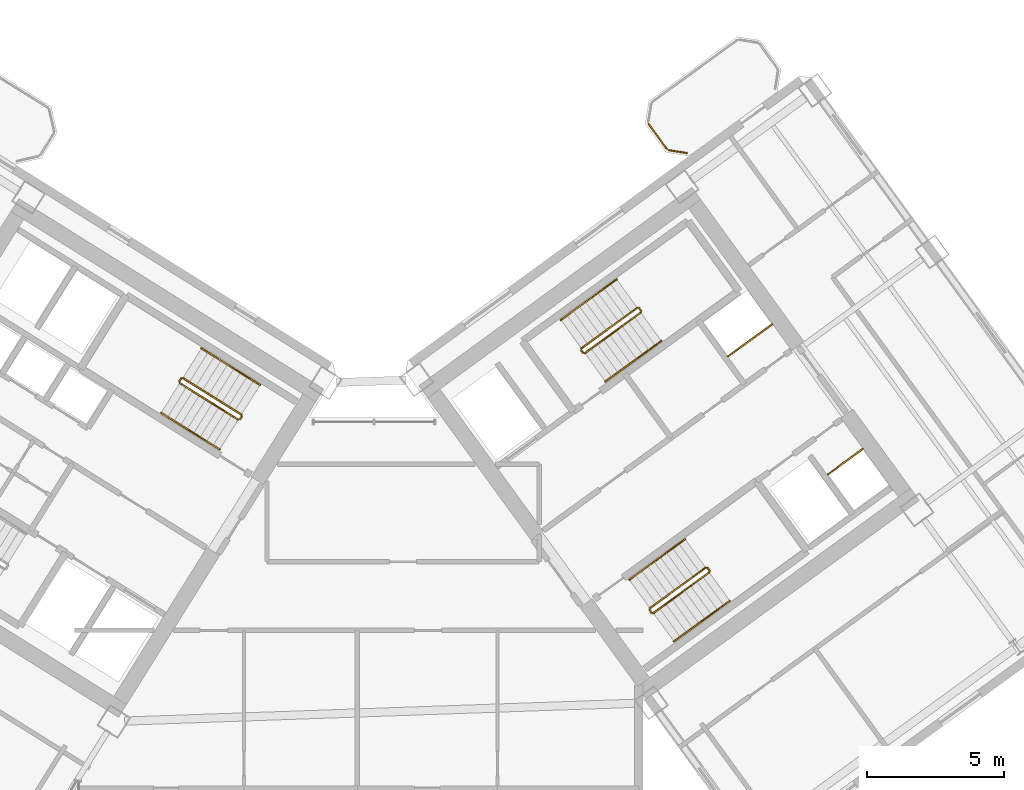
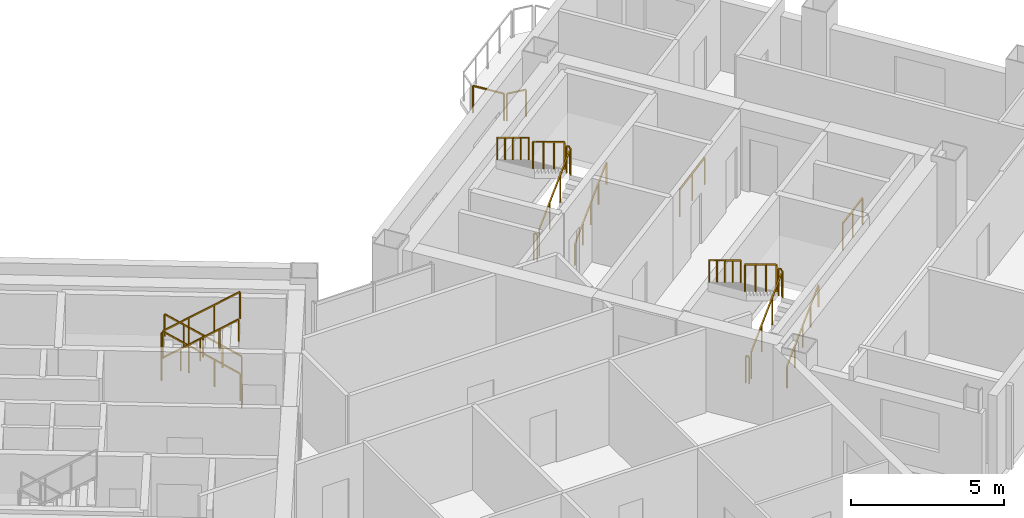
# One storey, part 24 of 25: 28 railings.
"""IFC4 building model written with IfcOpenShell, lengths in metres."""

from ifc_helpers import new_model, si_unit, direction, frame, origin, origin_2d, place, context, subcontext, project, spatial, rectangle, extrude, source, transform, mapped, material, type_object, element, save


model = new_model("IFC4")

# Units and contexts
model_context = context("Model", 3, precision=1e-05, world=origin(), true_north=direction((0.0, 1.0)))
body_context = subcontext(model_context, "Body", "Model", "MODEL_VIEW")
ifc_project = project(units=[si_unit("LENGTHUNIT", "METRE"), si_unit("AREAUNIT", "SQUARE_METRE"), si_unit("VOLUMEUNIT", "CUBIC_METRE"), si_unit("PLANEANGLEUNIT", "RADIAN"), si_unit("MASSUNIT", "GRAM", prefix="KILO")], contexts=[model_context])

# Site, building, storey
site_placement = place(None, origin())
site = spatial("IfcSite", under=ifc_project, at=site_placement, CompositionType="ELEMENT")
building_placement = place(site_placement, origin())
building = spatial("IfcBuilding", under=site, at=building_placement, Name="Tlacorven Tower", CompositionType="ELEMENT")
storey_placement = place(building_placement, frame((0.0, 0.0, 155.10009765625)))
storey = spatial("IfcBuildingStorey", under=building, at=storey_placement, Name="L39", CompositionType="ELEMENT", Elevation=155.10009765625)

# Railings
ifc_material = material(Name="Aluminium and painted steel balustrade", Category="steel")
railing_type_1 = type_object("IfcRailingType", Name="RL-GRD-1100", PredefinedType="GUARDRAIL", material=ifc_material)
shared_shape_1 = source(origin(), body_context, "Body", "SweptSolid", [
    extrude(rectangle(XDim=0.048095703125, YDim=0.048095703125, at=origin_2d()), frame((0.0, 0.0, 1.076171875), z_axis=(0.808947177504, 0.587881334972, 0.0), x_axis=(-0.587881334972, 0.808947177504, 0.0)), (0.0, 0.0, 1.0), 2.0),
    extrude(rectangle(XDim=0.0419921875, YDim=0.0419921875, at=origin_2d()), origin(), (0.0, 0.0, 1.0), 1.052001953125),
    extrude(rectangle(XDim=0.0419921875, YDim=0.0419921875, at=origin_2d()), frame((0.80908203125, 0.587890625, 0.0)), (0.0, 0.0, 1.0), 1.052001953125),
    extrude(rectangle(XDim=0.0419921875, YDim=0.0419921875, at=origin_2d()), frame((1.617919921875, 1.17578125, 0.0)), (0.0, 0.0, 1.0), 1.052001953125),
])
railing_1_placement = place(storey_placement, frame((55.506103515625, 25.438232421875, 0.0)))
element("IfcRailing", 1, at=railing_1_placement, inside=storey, type_object=railing_type_1, Name="L39 Electrical Riser E Shaft Guard 1", PredefinedType="GUARDRAIL", context=body_context, shape_type="MappedRepresentation", body=[
    mapped(shared_shape_1, transform((0.0, 0.0, 0.0), scale=1.0)),
])
shared_shape_2 = source(origin(), body_context, "Body", "SweptSolid", [
    extrude(rectangle(XDim=0.048095703125, YDim=0.048095703125, at=origin_2d()), frame((0.0, 0.0, 1.076171875), z_axis=(0.809029975545, 0.58776738483, 0.0), x_axis=(-0.58776738483, 0.809029975545, 0.0)), (0.0, 0.0, 1.0), 1.580078125),
    extrude(rectangle(XDim=0.0419921875, YDim=0.0419921875, at=origin_2d()), origin(), (0.0, 0.0, 1.0), 1.052001953125),
    extrude(rectangle(XDim=0.0419921875, YDim=0.0419921875, at=origin_2d()), frame((0.63916015625, 0.46435546875, 0.0)), (0.0, 0.0, 1.0), 1.052001953125),
    extrude(rectangle(XDim=0.0419921875, YDim=0.0419921875, at=origin_2d()), frame((1.2783203125, 0.9287109375, 0.0)), (0.0, 0.0, 1.0), 1.052001953125),
])
railing_2_placement = place(storey_placement, frame((59.160888671875, 21.122314453125, 0.0)))
element("IfcRailing", 2, at=railing_2_placement, inside=storey, type_object=railing_type_1, Name="L39 Smoke Riser E Shaft Guard 1", PredefinedType="GUARDRAIL", context=body_context, shape_type="MappedRepresentation", body=[
    mapped(shared_shape_2, transform((0.0, 0.0, 0.0), scale=1.0)),
])
railing_type_2 = type_object("IfcRailingType", Name="RL-BAL-1100", PredefinedType="BALUSTRADE", material=ifc_material)
shared_shape_3 = source(origin(), body_context, "Body", "SweptSolid", [
    extrude(rectangle(XDim=0.048095703125, YDim=0.048095703125, at=origin_2d()), frame((0.0, 0.0, 1.076171875), z_axis=(-0.987718317463, 0.156245081039, 0.0), x_axis=(-0.156245081039, -0.987718317463, 0.0)), (0.0, 0.0, 1.0), 0.66552734375),
    extrude(rectangle(XDim=0.0419921875, YDim=0.0419921875, at=origin_2d()), origin(), (0.0, 0.0, 1.0), 1.052001953125),
    extrude(rectangle(XDim=0.0419921875, YDim=0.0419921875, at=origin_2d()), frame((-0.657470703125, 0.10400390625, 0.0)), (0.0, 0.0, 1.0), 1.052001953125),
])
railing_3_placement = place(storey_placement, frame((54.00341796875, 32.8759765625, 0.0)))
element("IfcRailing", 3, at=railing_3_placement, inside=storey, type_object=railing_type_2, Name="BAL-L39-E-IN Guard Railing 1", PredefinedType="BALUSTRADE", context=body_context, shape_type="MappedRepresentation", body=[
    mapped(shared_shape_3, transform((0.0, 0.0, 0.0), scale=1.0)),
])
shared_shape_4 = source(origin(), body_context, "Body", "SweptSolid", [
    extrude(rectangle(XDim=0.048095703125, YDim=0.048095703125, at=origin_2d()), frame((0.0, 0.0, 1.076171875), z_axis=(-0.587740817519, 0.809049276263, 0.0), x_axis=(-0.809049276263, -0.587740817519, 0.0)), (0.0, 0.0, 1.0), 1.112060546875),
    extrude(rectangle(XDim=0.0419921875, YDim=0.0419921875, at=origin_2d()), origin(), (0.0, 0.0, 1.0), 1.052001953125),
    extrude(rectangle(XDim=0.0419921875, YDim=0.0419921875, at=origin_2d()), frame((-0.653564453125, 0.899658203125, 0.0)), (0.0, 0.0, 1.0), 1.052001953125),
])
railing_4_placement = place(storey_placement, frame((53.26708984375, 33.0283203125, 0.0)))
element("IfcRailing", 4, at=railing_4_placement, inside=storey, type_object=railing_type_2, Name="BAL-L39-E-IN Guard Railing 2", PredefinedType="BALUSTRADE", context=body_context, shape_type="MappedRepresentation", body=[
    mapped(shared_shape_4, transform((0.0, 0.0, 0.0), scale=1.0)),
])
shared_shape_5 = source(origin(), body_context, "Body", "SweptSolid", [
    extrude(rectangle(XDim=0.048095703125, YDim=0.048095703125, at=origin_2d()), frame((0.0, 0.0, 1.076171875), z_axis=(-0.530546985787, -0.847655529016, 0.0), x_axis=(0.847655529016, -0.530546985787, 0.0)), (0.0, 0.0, 1.0), 0.1201171875),
    extrude(rectangle(XDim=0.0419921875, YDim=0.0419921875, at=origin_2d()), origin(), (0.0, 0.0, 1.0), 1.052001953125),
    extrude(rectangle(XDim=0.0419921875, YDim=0.0419921875, at=origin_2d()), frame((-0.063720703125, -0.101806640625, 0.0)), (0.0, 0.0, 1.0), 1.052001953125),
])
railing_5_placement = place(storey_placement, frame((37.728271484375, 23.24072265625, 0.0)))
element("IfcRailing", 5, at=railing_5_placement, inside=storey, type_object=railing_type_1, Name="L39 ST-W2 stair guard 4", PredefinedType="GUARDRAIL", context=body_context, shape_type="MappedRepresentation", body=[
    mapped(shared_shape_5, transform((0.0, 0.0, 0.0), scale=1.0)),
])
railing_type_3 = type_object("IfcRailingType", Name="RL-HND-0900", PredefinedType="HANDRAIL", material=ifc_material)
shared_shape_6 = source(origin(), body_context, "Body", "SweptSolid", [
    extrude(rectangle(XDim=0.048095703125, YDim=0.048095703125, at=origin_2d()), frame((0.0, 0.0, 0.8759765625), z_axis=(-0.713359751793, 0.4457479829, 0.540764828981), x_axis=(-0.529911857636, -0.848052724267, 0.0)), (0.0, 0.0, 1.0), 1.498046875),
    extrude(rectangle(XDim=0.0419921875, YDim=0.0419921875, at=origin_2d()), origin(), (0.0, 0.0, 1.0), 0.851806640625),
    extrude(rectangle(XDim=0.0419921875, YDim=0.0419921875, at=origin_2d()), frame((-0.5341796875, 0.333984375, 0.405029296875)), (0.0, 0.0, 1.0), 0.851806640625),
    extrude(rectangle(XDim=0.0419921875, YDim=0.0419921875, at=origin_2d()), frame((-1.068603515625, 0.667724609375, 0.81005859375)), (0.0, 0.0, 1.0), 0.851806640625),
])
railing_6_placement = place(storey_placement, frame((38.390625, 24.39501953125, 0.179931640625)))
element("IfcRailing", 6, at=railing_6_placement, inside=storey, type_object=railing_type_3, Name="L39 ST-W2 stair handrail 1", PredefinedType="HANDRAIL", context=body_context, shape_type="MappedRepresentation", body=[
    mapped(shared_shape_6, transform((0.0, 0.0, 0.0), scale=1.0)),
])
shared_shape_7 = source(origin(), body_context, "Body", "SweptSolid", [
    extrude(rectangle(XDim=0.048095703125, YDim=0.048095703125, at=origin_2d()), frame((0.0, 0.0, 0.8759765625), z_axis=(0.713359751793, -0.4457479829, 0.540764828981), x_axis=(0.529911857636, 0.848052724267, 0.0)), (0.0, 0.0, 1.0), 1.498046875),
    extrude(rectangle(XDim=0.0419921875, YDim=0.0419921875, at=origin_2d()), origin(), (0.0, 0.0, 1.0), 0.851806640625),
    extrude(rectangle(XDim=0.0419921875, YDim=0.0419921875, at=origin_2d()), frame((0.5341796875, -0.333984375, 0.405029296875)), (0.0, 0.0, 1.0), 0.851806640625),
    extrude(rectangle(XDim=0.0419921875, YDim=0.0419921875, at=origin_2d()), frame((1.068603515625, -0.667724609375, 0.81005859375)), (0.0, 0.0, 1.0), 0.851806640625),
])
railing_7_placement = place(storey_placement, frame((35.848876953125, 22.705078125, 2.789794921875)))
element("IfcRailing", 7, at=railing_7_placement, inside=storey, type_object=railing_type_3, Name="L39 ST-W2 stair handrail 4", PredefinedType="HANDRAIL", context=body_context, shape_type="MappedRepresentation", body=[
    mapped(shared_shape_7, transform((0.0, 0.0, 0.0), scale=1.0)),
])
shared_shape_8 = source(origin(), body_context, "Body", "SweptSolid", [
    extrude(rectangle(XDim=0.048095703125, YDim=0.048095703125, at=origin_2d()), frame((0.0, 0.0, 1.076171875), z_axis=(-0.713351164325, 0.445793541512, 0.540738601085), x_axis=(-0.529955395941, -0.84802551749, 0.0)), (0.0, 0.0, 1.0), 2.99560546875),
    extrude(rectangle(XDim=0.0419921875, YDim=0.0419921875, at=origin_2d()), origin(), (0.0, 0.0, 1.0), 1.052001953125),
    extrude(rectangle(XDim=0.0419921875, YDim=0.0419921875, at=origin_2d()), frame((-0.71240234375, 0.445068359375, 0.5400390625)), (0.0, 0.0, 1.0), 1.052001953125),
    extrude(rectangle(XDim=0.0419921875, YDim=0.0419921875, at=origin_2d()), frame((-1.424560546875, 0.890380859375, 1.079833984375)), (0.0, 0.0, 1.0), 1.052001953125),
    extrude(rectangle(XDim=0.0419921875, YDim=0.0419921875, at=origin_2d()), frame((-2.136962890625, 1.33544921875, 1.619873046875)), (0.0, 0.0, 1.0), 1.052001953125),
])
railing_8_placement = place(storey_placement, frame((37.712158203125, 23.3095703125, 0.179931640625)))
element("IfcRailing", 8, at=railing_8_placement, inside=storey, type_object=railing_type_1, Name="L39 ST-W2 stair guard 1", PredefinedType="GUARDRAIL", context=body_context, shape_type="MappedRepresentation", body=[
    mapped(shared_shape_8, transform((0.0, 0.0, 0.0), scale=1.0)),
])
shared_shape_9 = source(origin(), body_context, "Body", "SweptSolid", [
    extrude(rectangle(XDim=0.048095703125, YDim=0.048095703125, at=origin_2d()), frame((0.0, 0.0, 0.8759765625), z_axis=(-0.713422621445, 0.445787267455, 0.540649494022), x_axis=(-0.529911857636, -0.848052724267, 0.0)), (0.0, 0.0, 1.0), 1.497802734375),
    extrude(rectangle(XDim=0.0419921875, YDim=0.0419921875, at=origin_2d()), origin(), (0.0, 0.0, 1.0), 0.851806640625),
    extrude(rectangle(XDim=0.0419921875, YDim=0.0419921875, at=origin_2d()), frame((-0.5341796875, 0.333984375, 0.40478515625)), (0.0, 0.0, 1.0), 0.851806640625),
    extrude(rectangle(XDim=0.0419921875, YDim=0.0419921875, at=origin_2d()), frame((-1.068603515625, 0.667724609375, 0.809814453125)), (0.0, 0.0, 1.0), 0.851806640625),
])
railing_9_placement = place(storey_placement, frame((37.322021484375, 25.062744140625, 0.989990234375)))
element("IfcRailing", 9, at=railing_9_placement, inside=storey, type_object=railing_type_3, Name="L39 ST-W2 stair handrail 2", PredefinedType="HANDRAIL", context=body_context, shape_type="MappedRepresentation", body=[
    mapped(shared_shape_9, transform((0.0, 0.0, 0.0), scale=1.0)),
])
shared_shape_10 = source(origin(), body_context, "Body", "SweptSolid", [
    extrude(rectangle(XDim=0.048095703125, YDim=0.048095703125, at=origin_2d()), frame((0.0, 0.0, 0.8759765625), z_axis=(0.713422621445, -0.445787267455, 0.540649494022), x_axis=(0.529911857636, 0.848052724267, 0.0)), (0.0, 0.0, 1.0), 1.497802734375),
    extrude(rectangle(XDim=0.0419921875, YDim=0.0419921875, at=origin_2d()), origin(), (0.0, 0.0, 1.0), 0.851806640625),
    extrude(rectangle(XDim=0.0419921875, YDim=0.0419921875, at=origin_2d()), frame((0.5341796875, -0.333984375, 0.40478515625)), (0.0, 0.0, 1.0), 0.851806640625),
    extrude(rectangle(XDim=0.0419921875, YDim=0.0419921875, at=origin_2d()), frame((1.068603515625, -0.667724609375, 0.809814453125)), (0.0, 0.0, 1.0), 0.851806640625),
])
railing_10_placement = place(storey_placement, frame((34.7802734375, 23.372802734375, 1.97998046875)))
element("IfcRailing", 10, at=railing_10_placement, inside=storey, type_object=railing_type_3, Name="L39 ST-W2 stair handrail 3", PredefinedType="HANDRAIL", context=body_context, shape_type="MappedRepresentation", body=[
    mapped(shared_shape_10, transform((0.0, 0.0, 0.0), scale=1.0)),
])
shared_shape_11 = source(origin(), body_context, "Body", "SweptSolid", [
    extrude(rectangle(XDim=0.048095703125, YDim=0.048095703125, at=origin_2d()), frame((0.0, 0.0, 1.076171875), z_axis=(-0.531462422766, -0.847081869236, 0.0), x_axis=(0.847081869236, -0.531462422766, 0.0)), (0.0, 0.0, 1.0), 0.119873046875),
    extrude(rectangle(XDim=0.0419921875, YDim=0.0419921875, at=origin_2d()), origin(), (0.0, 0.0, 1.0), 1.052001953125),
    extrude(rectangle(XDim=0.0419921875, YDim=0.0419921875, at=origin_2d()), frame((-0.063720703125, -0.1015625, 0.0)), (0.0, 0.0, 1.0), 1.052001953125),
])
railing_11_placement = place(storey_placement, frame((35.50634765625, 24.62890625, 1.7998046875)))
element("IfcRailing", 11, at=railing_11_placement, inside=storey, type_object=railing_type_1, Name="L39 ST-W2 stair guard 2", PredefinedType="GUARDRAIL", context=body_context, shape_type="MappedRepresentation", body=[
    mapped(shared_shape_11, transform((0.0, 0.0, 0.0), scale=1.0)),
])
shared_shape_12 = source(origin(), body_context, "Body", "SweptSolid", [
    extrude(rectangle(XDim=0.048095703125, YDim=0.048095703125, at=origin_2d()), frame((0.0, 0.0, 1.076171875), z_axis=(0.713417101326, -0.445702322042, 0.540726806865), x_axis=(0.52984217967, 0.848096259066, 0.0)), (0.0, 0.0, 1.0), 2.995849609375),
    extrude(rectangle(XDim=0.0419921875, YDim=0.0419921875, at=origin_2d()), origin(), (0.0, 0.0, 1.0), 1.052001953125),
    extrude(rectangle(XDim=0.0419921875, YDim=0.0419921875, at=origin_2d()), frame((0.71240234375, -0.445068359375, 0.5400390625)), (0.0, 0.0, 1.0), 1.052001953125),
    extrude(rectangle(XDim=0.0419921875, YDim=0.0419921875, at=origin_2d()), frame((1.4248046875, -0.89013671875, 1.079833984375)), (0.0, 0.0, 1.0), 1.052001953125),
    extrude(rectangle(XDim=0.0419921875, YDim=0.0419921875, at=origin_2d()), frame((2.13720703125, -1.335205078125, 1.619873046875)), (0.0, 0.0, 1.0), 1.052001953125),
])
railing_12_placement = place(storey_placement, frame((35.45849609375, 24.458251953125, 1.97998046875)))
element("IfcRailing", 12, at=railing_12_placement, inside=storey, type_object=railing_type_1, Name="L39 ST-W2 stair guard 3", PredefinedType="GUARDRAIL", context=body_context, shape_type="MappedRepresentation", body=[
    mapped(shared_shape_12, transform((0.0, 0.0, 0.0), scale=1.0)),
])
shared_shape_13 = source(origin(), body_context, "Body", "SweptSolid", [
    extrude(rectangle(XDim=0.048095703125, YDim=0.048095703125, at=origin_2d()), frame((0.0, 0.0, 1.076171875), z_axis=(-0.587567097037, 0.809175448515, 0.0), x_axis=(-0.809175448515, -0.587567097037, 0.0)), (0.0, 0.0, 1.0), 0.1201171875),
    extrude(rectangle(XDim=0.0419921875, YDim=0.0419921875, at=origin_2d()), origin(), (0.0, 0.0, 1.0), 1.052001953125),
    extrude(rectangle(XDim=0.0419921875, YDim=0.0419921875, at=origin_2d()), frame((-0.070556640625, 0.09716796875, 0.0)), (0.0, 0.0, 1.0), 1.052001953125),
])
for number, where, name in (
    (13, (54.8310546875, 17.605712890625, 1.7998046875), "L39 ST-E2 stair guard 2"),
    (14, (52.71142578125, 16.065673828125, 0.0), "L39 ST-E2 stair guard 4"),
):
    element("IfcRailing", number, at=place(storey_placement, frame(where)), inside=storey, type_object=railing_type_1, Name=name, PredefinedType="GUARDRAIL", context=body_context, shape_type="MappedRepresentation", body=[
        mapped(shared_shape_13, transform((0.0, 0.0, 0.0), scale=1.0)),
    ])
shared_shape_14 = source(origin(), body_context, "Body", "SweptSolid", [
    extrude(rectangle(XDim=0.048095703125, YDim=0.048095703125, at=origin_2d()), frame((0.0, 0.0, 1.076171875), z_axis=(-0.587201422542, 0.809440849824, 0.0), x_axis=(-0.809440849824, -0.587201422542, 0.0)), (0.0, 0.0, 1.0), 0.11962890625),
    extrude(rectangle(XDim=0.0419921875, YDim=0.0419921875, at=origin_2d()), origin(), (0.0, 0.0, 1.0), 1.052001953125),
    extrude(rectangle(XDim=0.0419921875, YDim=0.0419921875, at=origin_2d()), frame((-0.0703125, 0.096923828125, 0.0)), (0.0, 0.0, 1.0), 1.052001953125),
])
for number, where, name in (
    (15, (52.326904296875, 27.10888671875, 1.7998046875), "L39 ST-E1 stair guard 2"),
    (16, (50.207275390625, 25.56884765625, 0.0), "L39 ST-E1 stair guard 4"),
):
    element("IfcRailing", number, at=place(storey_placement, frame(where)), inside=storey, type_object=railing_type_1, Name=name, PredefinedType="GUARDRAIL", context=body_context, shape_type="MappedRepresentation", body=[
        mapped(shared_shape_14, transform((0.0, 0.0, 0.0), scale=1.0)),
    ])
shared_shape_15 = source(origin(), body_context, "Body", "SweptSolid", [
    extrude(rectangle(XDim=0.048095703125, YDim=0.048095703125, at=origin_2d()), frame((0.0, 0.0, 0.8759765625), z_axis=(0.680516055757, 0.494372502302, 0.540826891737), x_axis=(-0.587745292299, 0.809046025502, 0.0)), (0.0, 0.0, 1.0), 1.497802734375),
    extrude(rectangle(XDim=0.0419921875, YDim=0.0419921875, at=origin_2d()), origin(), (0.0, 0.0, 1.0), 0.851806640625),
    extrude(rectangle(XDim=0.0419921875, YDim=0.0419921875, at=origin_2d()), frame((0.509765625, 0.3701171875, 0.405029296875)), (0.0, 0.0, 1.0), 0.851806640625),
    extrude(rectangle(XDim=0.0419921875, YDim=0.0419921875, at=origin_2d()), frame((1.019287109375, 0.740478515625, 0.81005859375)), (0.0, 0.0, 1.0), 0.851806640625),
])
railing_13_placement = place(storey_placement, frame((51.029541015625, 24.522216796875, 0.179931640625)))
element("IfcRailing", 17, at=railing_13_placement, inside=storey, type_object=railing_type_3, Name="L39 ST-E1 stair handrail 1", PredefinedType="HANDRAIL", context=body_context, shape_type="MappedRepresentation", body=[
    mapped(shared_shape_15, transform((0.0, 0.0, 0.0), scale=1.0)),
])
shared_shape_16 = source(origin(), body_context, "Body", "SweptSolid", [
    extrude(rectangle(XDim=0.048095703125, YDim=0.048095703125, at=origin_2d()), frame((0.0, 0.0, 0.8759765625), z_axis=(-0.680461216233, -0.494495647917, 0.540783309093), x_axis=(0.587872112667, -0.808953879494, 0.0)), (0.0, 0.0, 1.0), 1.498046875),
    extrude(rectangle(XDim=0.0419921875, YDim=0.0419921875, at=origin_2d()), origin(), (0.0, 0.0, 1.0), 0.851806640625),
    extrude(rectangle(XDim=0.0419921875, YDim=0.0419921875, at=origin_2d()), frame((-0.509765625, -0.370361328125, 0.405029296875)), (0.0, 0.0, 1.0), 0.851806640625),
    extrude(rectangle(XDim=0.0419921875, YDim=0.0419921875, at=origin_2d()), frame((-1.019287109375, -0.74072265625, 0.81005859375)), (0.0, 0.0, 1.0), 0.851806640625),
])
for number, where, name in (
    (18, (50.414794921875, 27.511962890625, 2.789794921875), "L39 ST-E1 stair handrail 4"),
    (19, (52.9189453125, 18.0087890625, 2.789794921875), "L39 ST-E2 stair handrail 4"),
):
    element("IfcRailing", number, at=place(storey_placement, frame(where)), inside=storey, type_object=railing_type_3, Name=name, PredefinedType="HANDRAIL", context=body_context, shape_type="MappedRepresentation", body=[
        mapped(shared_shape_16, transform((0.0, 0.0, 0.0), scale=1.0)),
    ])
shared_shape_17 = source(origin(), body_context, "Body", "SweptSolid", [
    extrude(rectangle(XDim=0.048095703125, YDim=0.048095703125, at=origin_2d()), frame((0.0, 0.0, 1.076171875), z_axis=(0.680518627673, 0.494455869951, 0.540747436481), x_axis=(-0.5878087079, 0.808999952359, 0.0)), (0.0, 0.0, 1.0), 2.99560546875),
    extrude(rectangle(XDim=0.0419921875, YDim=0.0419921875, at=origin_2d()), origin(), (0.0, 0.0, 1.0), 1.052001953125),
    extrude(rectangle(XDim=0.0419921875, YDim=0.0419921875, at=origin_2d()), frame((0.679443359375, 0.49365234375, 0.5400390625)), (0.0, 0.0, 1.0), 1.052001953125),
    extrude(rectangle(XDim=0.0419921875, YDim=0.0419921875, at=origin_2d()), frame((1.359130859375, 0.987548828125, 1.079833984375)), (0.0, 0.0, 1.0), 1.052001953125),
    extrude(rectangle(XDim=0.0419921875, YDim=0.0419921875, at=origin_2d()), frame((2.03857421875, 1.481201171875, 1.619873046875)), (0.0, 0.0, 1.0), 1.052001953125),
])
railing_14_placement = place(storey_placement, frame((50.27734375, 25.557861328125, 0.179931640625)))
element("IfcRailing", 20, at=railing_14_placement, inside=storey, type_object=railing_type_1, Name="L39 ST-E1 stair guard 1", PredefinedType="GUARDRAIL", context=body_context, shape_type="MappedRepresentation", body=[
    mapped(shared_shape_17, transform((0.0, 0.0, 0.0), scale=1.0)),
])
shared_shape_18 = source(origin(), body_context, "Body", "SweptSolid", [
    extrude(rectangle(XDim=0.048095703125, YDim=0.048095703125, at=origin_2d()), frame((0.0, 0.0, 1.076171875), z_axis=(-0.680518627673, -0.494455869951, 0.540747436481), x_axis=(0.5878087079, -0.808999952359, 0.0)), (0.0, 0.0, 1.0), 2.99560546875),
    extrude(rectangle(XDim=0.0419921875, YDim=0.0419921875, at=origin_2d()), origin(), (0.0, 0.0, 1.0), 1.052001953125),
    extrude(rectangle(XDim=0.0419921875, YDim=0.0419921875, at=origin_2d()), frame((-0.679443359375, -0.49365234375, 0.5400390625)), (0.0, 0.0, 1.0), 1.052001953125),
    extrude(rectangle(XDim=0.0419921875, YDim=0.0419921875, at=origin_2d()), frame((-1.359130859375, -0.987548828125, 1.079833984375)), (0.0, 0.0, 1.0), 1.052001953125),
    extrude(rectangle(XDim=0.0419921875, YDim=0.0419921875, at=origin_2d()), frame((-2.03857421875, -1.481201171875, 1.619873046875)), (0.0, 0.0, 1.0), 1.052001953125),
])
railing_15_placement = place(storey_placement, frame((52.1865234375, 27.217041015625, 1.97998046875)))
element("IfcRailing", 21, at=railing_15_placement, inside=storey, type_object=railing_type_1, Name="L39 ST-E1 stair guard 3", PredefinedType="GUARDRAIL", context=body_context, shape_type="MappedRepresentation", body=[
    mapped(shared_shape_18, transform((0.0, 0.0, 0.0), scale=1.0)),
])
shared_shape_19 = source(origin(), body_context, "Body", "SweptSolid", [
    extrude(rectangle(XDim=0.048095703125, YDim=0.048095703125, at=origin_2d()), frame((0.0, 0.0, 0.8759765625), z_axis=(0.680608688748, 0.494484377792, 0.540608003012), x_axis=(-0.587779977844, 0.80902082646, 0.0)), (0.0, 0.0, 1.0), 1.498046875),
    extrude(rectangle(XDim=0.0419921875, YDim=0.0419921875, at=origin_2d()), origin(), (0.0, 0.0, 1.0), 0.851806640625),
    extrude(rectangle(XDim=0.0419921875, YDim=0.0419921875, at=origin_2d()), frame((0.509765625, 0.370361328125, 0.40478515625)), (0.0, 0.0, 1.0), 0.851806640625),
    extrude(rectangle(XDim=0.0419921875, YDim=0.0419921875, at=origin_2d()), frame((1.01953125, 0.74072265625, 0.809814453125)), (0.0, 0.0, 1.0), 0.851806640625),
])
railing_16_placement = place(storey_placement, frame((52.048828125, 25.2626953125, 0.989990234375)))
element("IfcRailing", 22, at=railing_16_placement, inside=storey, type_object=railing_type_3, Name="L39 ST-E1 stair handrail 2", PredefinedType="HANDRAIL", context=body_context, shape_type="MappedRepresentation", body=[
    mapped(shared_shape_19, transform((0.0, 0.0, 0.0), scale=1.0)),
])
shared_shape_20 = source(origin(), body_context, "Body", "SweptSolid", [
    extrude(rectangle(XDim=0.048095703125, YDim=0.048095703125, at=origin_2d()), frame((0.0, 0.0, 0.8759765625), z_axis=(-0.680663537655, -0.494361233168, 0.540651569541), x_axis=(0.587653156371, -0.809112951205, 0.0)), (0.0, 0.0, 1.0), 1.497802734375),
    extrude(rectangle(XDim=0.0419921875, YDim=0.0419921875, at=origin_2d()), origin(), (0.0, 0.0, 1.0), 0.851806640625),
    extrude(rectangle(XDim=0.0419921875, YDim=0.0419921875, at=origin_2d()), frame((-0.509765625, -0.3701171875, 0.40478515625)), (0.0, 0.0, 1.0), 0.851806640625),
    extrude(rectangle(XDim=0.0419921875, YDim=0.0419921875, at=origin_2d()), frame((-1.01953125, -0.740478515625, 0.809814453125)), (0.0, 0.0, 1.0), 0.851806640625),
])
railing_17_placement = place(storey_placement, frame((51.434326171875, 28.25244140625, 1.97998046875)))
element("IfcRailing", 23, at=railing_17_placement, inside=storey, type_object=railing_type_3, Name="L39 ST-E1 stair handrail 3", PredefinedType="HANDRAIL", context=body_context, shape_type="MappedRepresentation", body=[
    mapped(shared_shape_20, transform((0.0, 0.0, 0.0), scale=1.0)),
])
shared_shape_21 = source(origin(), body_context, "Body", "SweptSolid", [
    extrude(rectangle(XDim=0.048095703125, YDim=0.048095703125, at=origin_2d()), frame((0.0, 0.0, 0.8759765625), z_axis=(0.680576044605, 0.494416082224, 0.54071155448), x_axis=(-0.587745292299, 0.809046025502, 0.0)), (0.0, 0.0, 1.0), 1.497802734375),
    extrude(rectangle(XDim=0.0419921875, YDim=0.0419921875, at=origin_2d()), origin(), (0.0, 0.0, 1.0), 0.851806640625),
    extrude(rectangle(XDim=0.0419921875, YDim=0.0419921875, at=origin_2d()), frame((0.509765625, 0.3701171875, 0.40478515625)), (0.0, 0.0, 1.0), 0.851806640625),
    extrude(rectangle(XDim=0.0419921875, YDim=0.0419921875, at=origin_2d()), frame((1.019287109375, 0.740478515625, 0.809814453125)), (0.0, 0.0, 1.0), 0.851806640625),
])
railing_18_placement = place(storey_placement, frame((54.552978515625, 15.759765625, 0.989990234375)))
element("IfcRailing", 24, at=railing_18_placement, inside=storey, type_object=railing_type_3, Name="L39 ST-E2 stair handrail 2", PredefinedType="HANDRAIL", context=body_context, shape_type="MappedRepresentation", body=[
    mapped(shared_shape_21, transform((0.0, 0.0, 0.0), scale=1.0)),
])
shared_shape_22 = source(origin(), body_context, "Body", "SweptSolid", [
    extrude(rectangle(XDim=0.048095703125, YDim=0.048095703125, at=origin_2d()), frame((0.0, 0.0, 0.8759765625), z_axis=(0.680461216233, 0.494495647917, 0.540783309093), x_axis=(-0.587872112667, 0.808953879494, 0.0)), (0.0, 0.0, 1.0), 1.498046875),
    extrude(rectangle(XDim=0.0419921875, YDim=0.0419921875, at=origin_2d()), origin(), (0.0, 0.0, 1.0), 0.851806640625),
    extrude(rectangle(XDim=0.0419921875, YDim=0.0419921875, at=origin_2d()), frame((0.509765625, 0.370361328125, 0.405029296875)), (0.0, 0.0, 1.0), 0.851806640625),
    extrude(rectangle(XDim=0.0419921875, YDim=0.0419921875, at=origin_2d()), frame((1.019287109375, 0.74072265625, 0.81005859375)), (0.0, 0.0, 1.0), 0.851806640625),
])
railing_19_placement = place(storey_placement, frame((53.53369140625, 15.01904296875, 0.179931640625)))
element("IfcRailing", 25, at=railing_19_placement, inside=storey, type_object=railing_type_3, Name="L39 ST-E2 stair handrail 1", PredefinedType="HANDRAIL", context=body_context, shape_type="MappedRepresentation", body=[
    mapped(shared_shape_22, transform((0.0, 0.0, 0.0), scale=1.0)),
])
shared_shape_23 = source(origin(), body_context, "Body", "SweptSolid", [
    extrude(rectangle(XDim=0.048095703125, YDim=0.048095703125, at=origin_2d()), frame((0.0, 0.0, 1.076171875), z_axis=(0.680562380517, 0.494428447203, 0.540717446381), x_axis=(-0.587762637553, 0.809033424462, 0.0)), (0.0, 0.0, 1.0), 2.995849609375),
    extrude(rectangle(XDim=0.0419921875, YDim=0.0419921875, at=origin_2d()), origin(), (0.0, 0.0, 1.0), 1.052001953125),
    extrude(rectangle(XDim=0.0419921875, YDim=0.0419921875, at=origin_2d()), frame((0.6796875, 0.49365234375, 0.5400390625)), (0.0, 0.0, 1.0), 1.052001953125),
    extrude(rectangle(XDim=0.0419921875, YDim=0.0419921875, at=origin_2d()), frame((1.359130859375, 0.987548828125, 1.079833984375)), (0.0, 0.0, 1.0), 1.052001953125),
    extrude(rectangle(XDim=0.0419921875, YDim=0.0419921875, at=origin_2d()), frame((2.038818359375, 1.481201171875, 1.619873046875)), (0.0, 0.0, 1.0), 1.052001953125),
])
railing_20_placement = place(storey_placement, frame((52.78125, 16.0546875, 0.179931640625)))
element("IfcRailing", 26, at=railing_20_placement, inside=storey, type_object=railing_type_1, Name="L39 ST-E2 stair guard 1", PredefinedType="GUARDRAIL", context=body_context, shape_type="MappedRepresentation", body=[
    mapped(shared_shape_23, transform((0.0, 0.0, 0.0), scale=1.0)),
])
shared_shape_24 = source(origin(), body_context, "Body", "SweptSolid", [
    extrude(rectangle(XDim=0.048095703125, YDim=0.048095703125, at=origin_2d()), frame((0.0, 0.0, 1.076171875), z_axis=(-0.680562380517, -0.494428447203, 0.540717446381), x_axis=(0.587762637553, -0.809033424462, 0.0)), (0.0, 0.0, 1.0), 2.995849609375),
    extrude(rectangle(XDim=0.0419921875, YDim=0.0419921875, at=origin_2d()), origin(), (0.0, 0.0, 1.0), 1.052001953125),
    extrude(rectangle(XDim=0.0419921875, YDim=0.0419921875, at=origin_2d()), frame((-0.6796875, -0.49365234375, 0.5400390625)), (0.0, 0.0, 1.0), 1.052001953125),
    extrude(rectangle(XDim=0.0419921875, YDim=0.0419921875, at=origin_2d()), frame((-1.359130859375, -0.987548828125, 1.079833984375)), (0.0, 0.0, 1.0), 1.052001953125),
    extrude(rectangle(XDim=0.0419921875, YDim=0.0419921875, at=origin_2d()), frame((-2.038818359375, -1.481201171875, 1.619873046875)), (0.0, 0.0, 1.0), 1.052001953125),
])
railing_21_placement = place(storey_placement, frame((54.690673828125, 17.7138671875, 1.97998046875)))
element("IfcRailing", 27, at=railing_21_placement, inside=storey, type_object=railing_type_1, Name="L39 ST-E2 stair guard 3", PredefinedType="GUARDRAIL", context=body_context, shape_type="MappedRepresentation", body=[
    mapped(shared_shape_24, transform((0.0, 0.0, 0.0), scale=1.0)),
])
shared_shape_25 = source(origin(), body_context, "Body", "SweptSolid", [
    extrude(rectangle(XDim=0.048095703125, YDim=0.048095703125, at=origin_2d()), frame((0.0, 0.0, 0.8759765625), z_axis=(-0.680576044605, -0.494416082224, 0.54071155448), x_axis=(0.587745292299, -0.809046025502, 0.0)), (0.0, 0.0, 1.0), 1.497802734375),
    extrude(rectangle(XDim=0.0419921875, YDim=0.0419921875, at=origin_2d()), origin(), (0.0, 0.0, 1.0), 0.851806640625),
    extrude(rectangle(XDim=0.0419921875, YDim=0.0419921875, at=origin_2d()), frame((-0.509765625, -0.3701171875, 0.40478515625)), (0.0, 0.0, 1.0), 0.851806640625),
    extrude(rectangle(XDim=0.0419921875, YDim=0.0419921875, at=origin_2d()), frame((-1.019287109375, -0.740478515625, 0.809814453125)), (0.0, 0.0, 1.0), 0.851806640625),
])
railing_22_placement = place(storey_placement, frame((53.938232421875, 18.749267578125, 1.97998046875)))
element("IfcRailing", 28, at=railing_22_placement, inside=storey, type_object=railing_type_3, Name="L39 ST-E2 stair handrail 3", PredefinedType="HANDRAIL", context=body_context, shape_type="MappedRepresentation", body=[
    mapped(shared_shape_25, transform((0.0, 0.0, 0.0), scale=1.0)),
])

save(model, "model.ifc")
